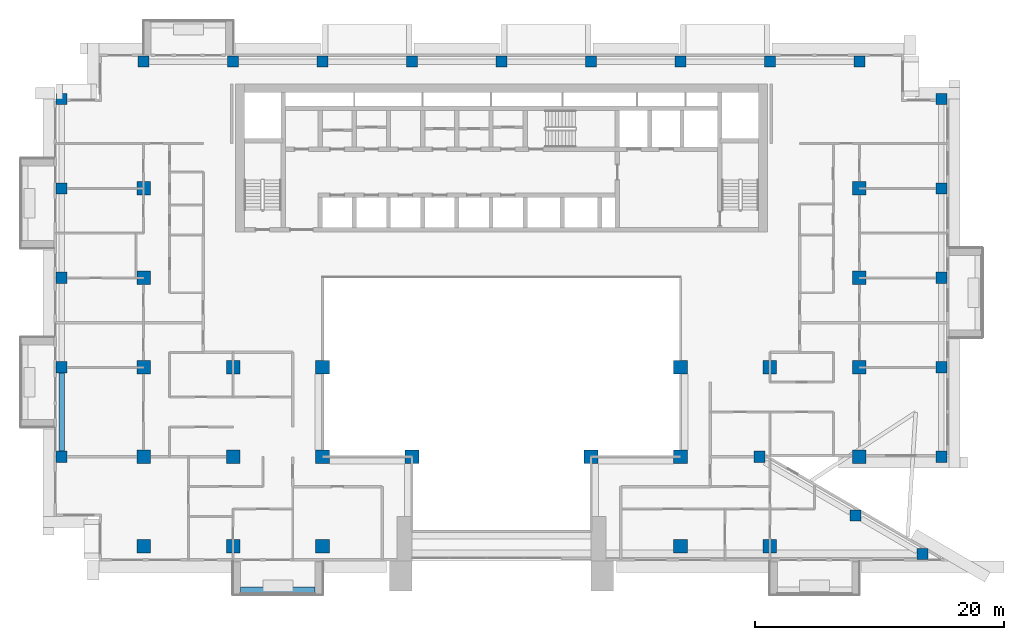
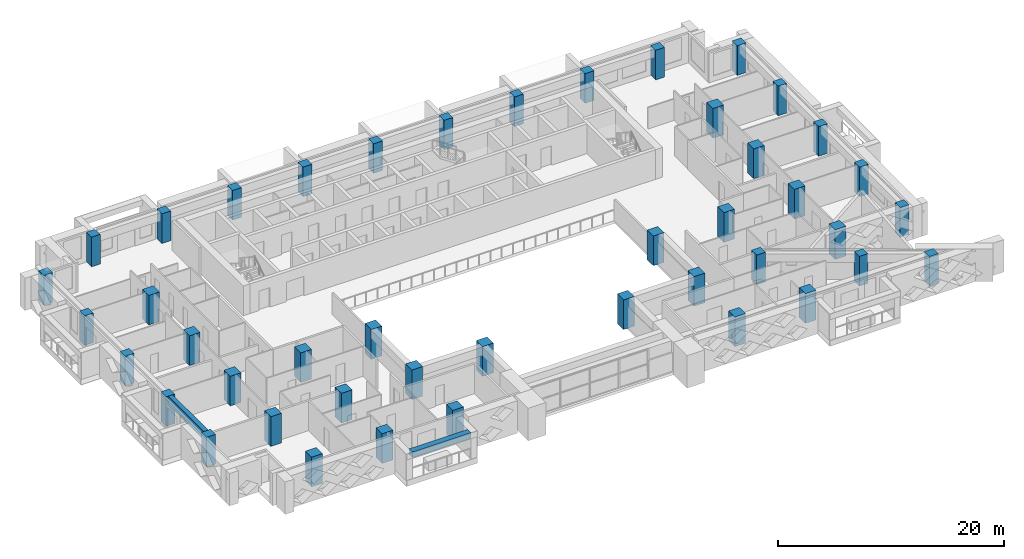
# One storey, part 1 of 20: 44 columns, 2 beams.
"""IFC4 building model written with IfcOpenShell, lengths in metres."""

from ifc_helpers import new_model, si_unit, direction, frame, origin, origin_2d, place, context, subcontext, project, spatial, rectangle, extrude, source, transform, mapped, material, material_profile, profile_set, type_object, element, save


model = new_model("IFC4")

# Units and contexts
model_context = context("Model", 3, precision=1e-05, world=origin(), true_north=direction((0.0, 1.0)))
body_context = subcontext(model_context, "Body", "Model", "MODEL_VIEW")
ifc_project = project(units=[si_unit("LENGTHUNIT", "METRE"), si_unit("AREAUNIT", "SQUARE_METRE"), si_unit("VOLUMEUNIT", "CUBIC_METRE"), si_unit("PLANEANGLEUNIT", "RADIAN"), si_unit("MASSUNIT", "GRAM", prefix="KILO")], contexts=[model_context])

# Site, building, storey
site_placement = place(None, origin())
site = spatial("IfcSite", under=ifc_project, at=site_placement, CompositionType="ELEMENT")
building_placement = place(site_placement, origin())
building = spatial("IfcBuilding", under=site, at=building_placement, Name="Saffron Iwan Residences", CompositionType="ELEMENT")
storey_placement = place(building_placement, frame((0.0, 0.0, 127.0)))
storey = spatial("IfcBuildingStorey", under=building, at=storey_placement, Name="L33", CompositionType="ELEMENT", Elevation=127.0)

# Columns
ifc_material_1 = material(Name="Concrete C50/60", Category="concrete")
ifc_material_profile_1 = material_profile(ifc_material_1, rectangle(XDim=1.10009765625, YDim=1.10009765625, at=origin_2d()), Name="RC 1100x1100")
ifc_profile_set_1 = profile_set([ifc_material_profile_1], Name="Concrete C50/60")
column_type_1 = type_object("IfcColumnType", Name="COL RC 1100x1100 C50/60 3200 HIGH", PredefinedType="COLUMN", material=ifc_profile_set_1)
shared_shape_1 = source(origin(), body_context, "Body", "SweptSolid", [
    extrude(rectangle(XDim=1.10009765625, YDim=1.10009765625, at=origin_2d()), origin(), (0.0, 0.0, 1.0), 3.199951171875),
])
for number, where, z_axis, x_axis, name in (
    (1, (21.60009765625, 40.800048828125, 0.0), (0.0, 0.0, 1.0), (1.0, 0.0, 0.0), "Column C049"),
    (2, (28.800048828125, 40.800048828125, 0.0), (0.0, 0.0, 1.0), (1.0, 0.0, 0.0), "Column C051"),
    (3, (36.0, 40.800048828125, 0.0), (0.0, 0.0, 1.0), (1.0, 0.0, 0.0), "Column C052"),
    (4, (64.800048828125, 40.800048828125, 0.0), (0.0, 0.0, 1.0), (1.0, 0.0, 0.0), "Column C055"),
    (5, (72.0, 40.800048828125, 0.0), (0.0, 0.0, 1.0), (1.0, 0.0, 0.0), "Column C056"),
    (6, (21.60009765625, 48.0, 0.0), (0.0, 0.0, 1.0), (1.0, 0.0, 0.0), "Column C063"),
    (7, (28.800048828125, 48.0, 0.0), (0.0, 0.0, 1.0), (1.0, 0.0, 0.0), "Column C064"),
    (8, (36.0, 48.0, 0.0), (0.0, 0.0, 1.0), (1.0, 0.0, 0.0), "Column C065"),
    (9, (43.199951171875, 48.0, 0.0), (0.0, 0.0, 1.0), (1.0, 0.0, 0.0), "Column C066"),
    (10, (57.60009765625, 48.0, 0.0), (0.0, 0.0, 1.0), (1.0, 0.0, 0.0), "Column C068"),
    (11, (64.800048828125, 48.0, 0.0), (0.0, 0.0, 1.0), (1.0, 0.0, 0.0), "Column C069"),
    (12, (79.199951171875, 48.0, 0.0), (0.0, 0.0, 1.0), (1.0, 0.0, 0.0), "Column C072"),
    (13, (21.60009765625, 55.199951171875, 0.0), (0.0, 0.0, 1.0), (1.0, 0.0, 0.0), "Column C079"),
    (14, (28.800048828125, 55.199951171875, 0.0), (0.0, 0.0, 1.0), (1.0, 0.0, 0.0), "Column C080"),
    (15, (36.0, 55.199951171875, 0.0), (0.0, 0.0, 1.0), (1.0, 0.0, 0.0), "Column C081"),
    (16, (64.800048828125, 55.199951171875, 0.0), (0.0, 0.0, 1.0), (1.0, 0.0, 0.0), "Column C082"),
    (17, (72.0, 55.199951171875, 0.0), (0.0, 0.0, 1.0), (1.0, 0.0, 0.0), "Column C083"),
    (18, (79.199951171875, 55.199951171875, 0.0), (0.0, 0.0, 1.0), (1.0, 0.0, 0.0), "Column C084"),
    (19, (21.60009765625, 62.39990234375, 0.0), (0.0, 0.0, 1.0), (1.0, 0.0, 0.0), "Column C091"),
    (20, (79.199951171875, 62.39990234375, 0.0), (0.0, 0.0, 1.0), (1.0, 0.0, 0.0), "Column C092"),
    (21, (21.60009765625, 69.60009765625, 0.0), (0.0, 0.0, 1.0), (1.0, 0.0, 0.0), "Column C099"),
    (22, (79.199951171875, 69.60009765625, 0.0), (0.0, 0.0, 1.0), (1.0, 0.0, 0.0), "Column C100"),
):
    element("IfcColumn", number, at=place(storey_placement, frame(where, z_axis=z_axis, x_axis=x_axis)), inside=storey, type_object=column_type_1, Name=name, PredefinedType="COLUMN", context=body_context, shape_type="MappedRepresentation", body=[
        mapped(shared_shape_1, transform((0.0, 0.0, 0.0))),
    ])
ifc_material_profile_2 = material_profile(ifc_material_1, rectangle(XDim=0.89990234375, YDim=0.89990234375, at=origin_2d()), Name="RC 900x900")
ifc_profile_set_2 = profile_set([ifc_material_profile_2], Name="Concrete C50/60")
column_type_2 = type_object("IfcColumnType", Name="COL RC 900x900 C50/60 3200 HIGH", PredefinedType="COLUMN", material=ifc_profile_set_2)
shared_shape_2 = source(origin(), body_context, "Body", "SweptSolid", [
    extrude(rectangle(XDim=0.89990234375, YDim=0.89990234375, at=origin_2d()), origin(), (0.0, 0.0, 1.0), 3.199951171875),
])
for number, where, z_axis, x_axis, name in (
    (23, (84.276123046875, 40.17431640625, 0.0), (0.0, 0.0, 1.0), (1.0, 0.0, 0.0), "Column C045"),
    (24, (78.897705078125, 43.28173828125, 0.0), (0.0, 0.0, 1.0), (1.0, 0.0, 0.0), "Column C058"),
    (25, (15.0, 48.0, 0.0), (0.0, 0.0, 1.0), (1.0, 0.0, 0.0), "Column C061"),
    (26, (71.14990234375, 48.0, 0.0), (0.0, 0.0, 1.0), (1.0, 0.0, 0.0), "Column C070"),
    (27, (85.800048828125, 48.0, 0.0), (0.0, 0.0, 1.0), (1.0, 0.0, 0.0), "Column C074"),
    (28, (15.0, 55.199951171875, 0.0), (0.0, 0.0, 1.0), (1.0, 0.0, 0.0), "Column C077"),
    (29, (85.800048828125, 55.199951171875, 0.0), (0.0, 0.0, 1.0), (1.0, 0.0, 0.0), "Column C086"),
    (30, (15.0, 62.39990234375, 0.0), (0.0, 0.0, 1.0), (1.0, 0.0, 0.0), "Column C089"),
    (31, (85.800048828125, 62.39990234375, 0.0), (0.0, 0.0, 1.0), (1.0, 0.0, 0.0), "Column C094"),
    (32, (15.0, 69.60009765625, 0.0), (0.0, 0.0, 1.0), (1.0, 0.0, 0.0), "Column C097"),
    (33, (85.800048828125, 69.60009765625, 0.0), (0.0, 0.0, 1.0), (1.0, 0.0, 0.0), "Column C102"),
    (34, (15.0, 76.800048828125, 0.0), (0.0, 0.0, 1.0), (1.0, 0.0, 0.0), "Column C105"),
    (35, (85.800048828125, 76.800048828125, 0.0), (0.0, 0.0, 1.0), (1.0, 0.0, 0.0), "Column C110"),
    (36, (21.60009765625, 79.800048828125, 0.0), (0.0, 0.0, 1.0), (1.0, 0.0, 0.0), "Column C113"),
    (37, (28.800048828125, 79.800048828125, 0.0), (0.0, 0.0, 1.0), (1.0, 0.0, 0.0), "Column C115"),
    (38, (36.0, 79.800048828125, 0.0), (0.0, 0.0, 1.0), (1.0, 0.0, 0.0), "Column C116"),
    (39, (43.199951171875, 79.800048828125, 0.0), (0.0, 0.0, 1.0), (1.0, 0.0, 0.0), "Column C117"),
    (40, (50.39990234375, 79.800048828125, 0.0), (0.0, 0.0, 1.0), (1.0, 0.0, 0.0), "Column C118"),
    (41, (57.60009765625, 79.800048828125, 0.0), (0.0, 0.0, 1.0), (1.0, 0.0, 0.0), "Column C119"),
    (42, (64.800048828125, 79.800048828125, 0.0), (0.0, 0.0, 1.0), (1.0, 0.0, 0.0), "Column C120"),
    (43, (72.0, 79.800048828125, 0.0), (0.0, 0.0, 1.0), (1.0, 0.0, 0.0), "Column C121"),
    (44, (79.199951171875, 79.800048828125, 0.0), (0.0, 0.0, 1.0), (1.0, 0.0, 0.0), "Column C123"),
):
    element("IfcColumn", number, at=place(storey_placement, frame(where, z_axis=z_axis, x_axis=x_axis)), inside=storey, type_object=column_type_2, Name=name, PredefinedType="COLUMN", context=body_context, shape_type="MappedRepresentation", body=[
        mapped(shared_shape_2, transform((0.0, 0.0, 0.0))),
    ])

# Beams
ifc_material_profile_3 = material_profile(ifc_material_1, rectangle(XDim=0.449951171875, YDim=0.89990234375, at=origin_2d()), Name="RC 450x900")
ifc_profile_set_3 = profile_set([ifc_material_profile_3], Name="Concrete C50/60")
beam_type_1 = type_object("IfcBeamType", Name="SPANDREL BEAM RC 450x900 C50/60 TOP 3200", PredefinedType="SPANDREL", material=ifc_profile_set_3)
shared_shape_3 = source(origin(), body_context, "Body", "SweptSolid", [
    extrude(rectangle(XDim=0.449951171875, YDim=0.89990234375, at=origin_2d()), origin(), (0.0, 0.0, 1.0), 6.300048828125),
])
beam_1_placement = place(storey_placement, frame((15.0, 48.449951171875, 2.75), z_axis=(0.0, 1.0, 0.0), x_axis=(-1.0, 0.0, 0.0)))
element("IfcBeam", 45, at=beam_1_placement, inside=storey, type_object=beam_type_1, Name="Spandrel beam", PredefinedType="SPANDREL", context=body_context, shape_type="MappedRepresentation", body=[
    mapped(shared_shape_3, transform((0.0, 0.0, 0.0))),
])
ifc_material_2 = material(Name="Concrete C50/60 white painted", Category="concrete")
ifc_material_profile_4 = material_profile(ifc_material_2, rectangle(XDim=0.60009765625, YDim=0.60009765625, at=origin_2d()), Name="BALCONY FASCIA BEAM 600 x 600")
ifc_profile_set_4 = profile_set([ifc_material_profile_4], Name="Concrete C50/60 white painted")
beam_type_2 = type_object("IfcBeamType", Name="BALCONY FASCIA BEAM 600 x 600", PredefinedType="BEAM", material=ifc_profile_set_4)
shared_shape_4 = source(origin(), body_context, "Body", "SweptSolid", [
    extrude(rectangle(XDim=0.60009765625, YDim=0.60009765625, at=origin_2d()), origin(), (0.0, 0.0, 1.0), 6.0),
])
beam_2_placement = place(storey_placement, frame((29.39990234375, 37.199951171875, 2.550048828125), z_axis=(1.0, 0.0, 0.0), x_axis=(0.0, 1.0, 0.0)))
element("IfcBeam", 46, at=beam_2_placement, inside=storey, type_object=beam_type_2, Name="Balcony fascia beam L33 11-0", PredefinedType="BEAM", context=body_context, shape_type="MappedRepresentation", body=[
    mapped(shared_shape_4, transform((0.0, 0.0, 0.0))),
])

save(model, "model.ifc")
